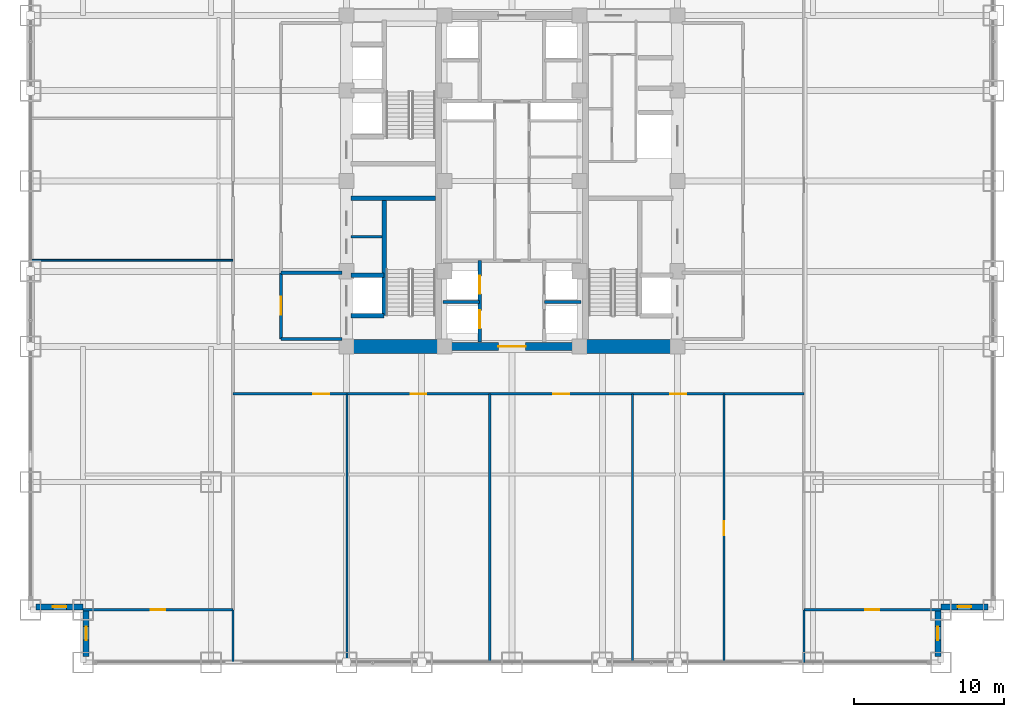
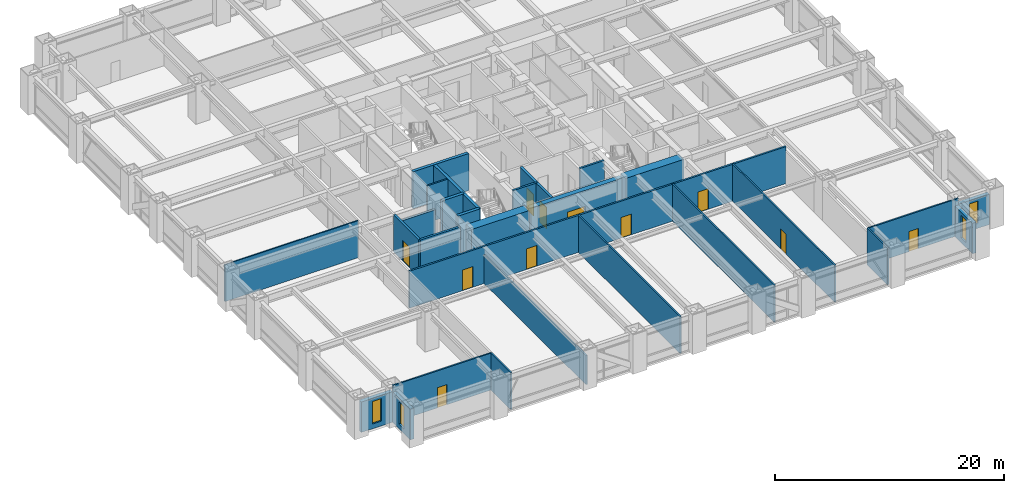
# One storey, part 23 of 27: 28 walls, 11 doors, 4 windows, 15 openings.
"""IFC4 building model written with IfcOpenShell, lengths in metres."""

from ifc_helpers import new_model, si_unit, direction, frame, frame_2d, origin, place, context, subcontext, project, spatial, rectangle, extrude, source, transform, mapped, material, layer, layer_set, type_object, element, fill, save


model = new_model("IFC4")

# Units and contexts
model_context = context("Model", 3, precision=1e-05, world=origin(), true_north=direction((0.0, 1.0)))
body_context = subcontext(model_context, "Body", "Model", "MODEL_VIEW")
ifc_project = project(units=[si_unit("LENGTHUNIT", "METRE"), si_unit("AREAUNIT", "SQUARE_METRE"), si_unit("VOLUMEUNIT", "CUBIC_METRE"), si_unit("PLANEANGLEUNIT", "RADIAN"), si_unit("MASSUNIT", "GRAM", prefix="KILO")], contexts=[model_context])

# Site, building, storey
site_placement = place(None, origin())
site = spatial("IfcSite", under=ifc_project, at=site_placement, CompositionType="ELEMENT")
building_placement = place(site_placement, origin())
building = spatial("IfcBuilding", under=site, at=building_placement, Name="Khorayat Bourse Tower", CompositionType="ELEMENT")
storey_placement = place(building_placement, frame((0.0, 0.0, 49.39990234375)))
storey = spatial("IfcBuildingStorey", under=building, at=storey_placement, Name="L10", CompositionType="ELEMENT", Elevation=49.39990234375)

# Walls
ifc_material_1 = material(Name="Concrete C72/90", Category="concrete")
ifc_layer_1 = layer(ifc_material_1, 0.89990234375)
ifc_layer_set_1 = layer_set([ifc_layer_1], Name="Concrete C72/90")
wall_type_1 = type_object("IfcWallType", Name="WAL-CORE-900", PredefinedType="SHEAR", material=ifc_layer_set_1)
shared_shape_1 = source(origin(), body_context, "Body", "SweptSolid", [
    extrude(rectangle(XDim=5.849853515625, YDim=0.89990234375, at=frame_2d((2.9248046875, 0.0))), origin(), (0.0, 0.0, 1.0), 3.940185546875),
])
for number, where, z_axis, x_axis, name in (
    (1, (-10.699951171875, -11.0, 0.0), (0.0, 0.0, 1.0), (1.0, 0.0, 0.0), "L10 Core Shear Wall PIER-WS"),
    (2, (4.85009765625, -11.0, 0.0), (0.0, 0.0, 1.0), (1.0, 0.0, 0.0), "L10 Core Shear Wall PIER-ES"),
):
    element("IfcWall", number, at=place(storey_placement, frame(where, z_axis=z_axis, x_axis=x_axis)), inside=storey, type_object=wall_type_1, Name=name, PredefinedType="SHEAR", context=body_context, shape_type="MappedRepresentation", body=[
        mapped(shared_shape_1, transform((0.0, 0.0, 0.0), scale=1.0)),
    ])
ifc_material_2 = material(Name="Concrete C50/60", Category="concrete")
ifc_layer_2 = layer(ifc_material_2, 0.300048828125)
ifc_layer_set_2 = layer_set([ifc_layer_2], Name="Concrete C50/60")
wall_type_2 = type_object("IfcWallType", Name="WAL-SHAFT-300", PredefinedType="SHEAR", material=ifc_layer_set_2)
shared_shape_2 = source(origin(), body_context, "Body", "SweptSolid", [
    extrude(rectangle(XDim=5.599853515625, YDim=0.300048828125, at=frame_2d((2.7998046875, 0.0))), origin(), (0.0, 0.0, 1.0), 3.940185546875),
])
wall_1_placement = place(storey_placement, frame((-10.699951171875, -1.14990234375, 0.0), z_axis=(0.0, 0.0, 1.0), x_axis=(1.0, 0.0, 0.0)))
element("IfcWall", 3, at=wall_1_placement, inside=storey, type_object=wall_type_2, Name="L10 Core Shear Wall ST1-DIV", PredefinedType="SHEAR", context=body_context, shape_type="MappedRepresentation", body=[
    mapped(shared_shape_2, transform((0.0, 0.0, 0.0), scale=1.0)),
])

# Wall, opening, door
ifc_material_3 = material(Name="Concrete C52/65", Category="concrete")
ifc_layer_3 = layer(ifc_material_3, 0.5)
ifc_layer_set_3 = layer_set([ifc_layer_3], Name="Concrete C52/65")
wall_type_3 = type_object("IfcWallType", Name="WAL-CORE-500", PredefinedType="SHEAR", material=ifc_layer_set_3)
shared_shape_3 = source(origin(), body_context, "Body", "SweptSolid", [
    extrude(rectangle(XDim=9.2001953125, YDim=0.5, at=frame_2d((4.60009765625, 0.0))), origin(), (0.0, 0.0, 1.0), 3.940185546875),
])
wall_2_placement = place(storey_placement, frame((-4.60009765625, -11.0, 0.0), z_axis=(0.0, 0.0, 1.0), x_axis=(1.0, 0.0, 0.0)))
wall_2 = element("IfcWall", 4, at=wall_2_placement, inside=storey, type_object=wall_type_3, Name="L10 Core Shear Wall CORE-S", PredefinedType="SHEAR", context=body_context, shape_type="MappedRepresentation", body=[
    mapped(shared_shape_3, transform((0.0, 0.0, 0.0), scale=1.0)),
])
shared_shape_4 = source(origin(), body_context, "Body", "SweptSolid", [
    extrude(rectangle(XDim=1.800048828125, YDim=2.25, at=frame_2d((0.89990234375, 1.125))), frame((0.0, 0.260009765625, 0.0), z_axis=(0.0, -1.0, 0.0), x_axis=(1.0, 0.0, 0.0)), (0.0, 0.0, 1.0), 0.52001953125),
])
opening_1_placement = place(wall_2_placement, frame((3.699951171875, 0.0, 0.0)))
opening_1 = element("IfcOpeningElement", 5, at=opening_1_placement, cuts=wall_2, Name="Opening DI-03", PredefinedType="OPENING", context=body_context, shape_type="MappedRepresentation", body=[
    mapped(shared_shape_4, transform((0.0, 0.0, 0.0), scale=1.0)),
])
ifc_material_4 = material(Name="Fire-rated hardwood vision-panel double leaf", Category="wood")
door_type_1 = type_object("IfcDoorType", Name="DR-INT-CORR-1800", OperationType="NOTDEFINED", PredefinedType="DOOR", material=ifc_material_4)
shared_shape_5 = source(origin(), body_context, "Body", "SweptSolid", [
    extrude(rectangle(XDim=1.800048828125, YDim=2.25, at=frame_2d((0.89990234375, 1.125))), frame((0.0, 0.02490234375, 0.0), z_axis=(0.0, -1.0, 0.0), x_axis=(1.0, 0.0, 0.0)), (0.0, 0.0, 1.0), 0.050048828125),
])
door_1_placement = place(opening_1_placement, origin())
door_1 = element("IfcDoor", 6, at=door_1_placement, inside=storey, type_object=door_type_1, Name="L10 Low-Rise Lift Lobby Door", OperationType="SINGLE_SWING_LEFT", OverallHeight=2.25, OverallWidth=1.800048828125, PredefinedType="DOOR", context=body_context, shape_type="MappedRepresentation", body=[
    mapped(shared_shape_5, transform((0.0, 0.0, 0.0), scale=1.0)),
])
fill(opening_1, door_1)

# Wall, opening, window
ifc_material_5 = material(Name="Precast concrete C45/55", Category="concrete")
ifc_layer_4 = layer(ifc_material_5, 0.3798828125)
ifc_layer_set_4 = layer_set([ifc_layer_4], Name="Precast concrete C45/55")
wall_type_4 = type_object("IfcWallType", Name="WAL-EXT-STONE-380", PredefinedType="STANDARD", material=ifc_layer_set_4)
shared_shape_6 = source(origin(), body_context, "Body", "SweptSolid", [
    extrude(rectangle(XDim=3.1201171875, YDim=0.3798828125, at=frame_2d((1.56005859375, 0.0))), origin(), (0.0, 0.0, 1.0), 3.2451171875),
])
wall_3_placement = place(storey_placement, frame((-28.5, -28.31005859375, 0.0), z_axis=(0.0, 0.0, 1.0), x_axis=(-1.0, 0.0, 0.0)))
wall_3 = element("IfcWall", 7, at=wall_3_placement, inside=storey, type_object=wall_type_4, Name="L10 Re-Entrant Notch Limestone Wall SW-H", PredefinedType="STANDARD", context=body_context, shape_type="MappedRepresentation", body=[
    mapped(shared_shape_6, transform((0.0, 0.0, 0.0), scale=1.0)),
])
shared_shape_7 = source(origin(), body_context, "Body", "SweptSolid", [
    extrude(rectangle(XDim=0.89990234375, YDim=2.39990234375, at=frame_2d((0.449951171875, 1.199951171875))), frame((0.0, 0.199951171875, 0.0), z_axis=(0.0, -1.0, 0.0), x_axis=(1.0, 0.0, 0.0)), (0.0, 0.0, 1.0), 0.39990234375),
])
opening_2_placement = place(wall_3_placement, frame((1.110107421875, 0.0, 0.5)))
opening_2 = element("IfcOpeningElement", 8, at=opening_2_placement, cuts=wall_3, Name="Opening WN-03", PredefinedType="OPENING", context=body_context, shape_type="MappedRepresentation", body=[
    mapped(shared_shape_7, transform((0.0, 0.0, 0.0), scale=1.0)),
])
ifc_material_6 = material(Name="Deep-reveal solar-control double glazing", Category="glass")
window_type = type_object("IfcWindowType", Name="WIN-SLOT-900x2400", PartitioningType="SINGLE_PANEL", PredefinedType="WINDOW", material=ifc_material_6)
shared_shape_8 = source(origin(), body_context, "Body", "SweptSolid", [
    extrude(rectangle(XDim=0.89990234375, YDim=2.39990234375, at=frame_2d((0.449951171875, 1.199951171875))), frame((0.0, 0.030029296875, 0.0), z_axis=(0.0, -1.0, 0.0), x_axis=(1.0, 0.0, 0.0)), (0.0, 0.0, 1.0), 0.06005859375),
])
window_1_placement = place(opening_2_placement, origin())
window_1 = element("IfcWindow", 9, at=window_1_placement, inside=storey, type_object=window_type, Name="L10 Facade Window 1", OverallHeight=2.39990234375, OverallWidth=0.89990234375, PartitioningType="SINGLE_PANEL", PredefinedType="WINDOW", context=body_context, shape_type="MappedRepresentation", body=[
    mapped(shared_shape_8, transform((0.0, 0.0, 0.0), scale=1.0)),
])
fill(opening_2, window_1)

wall_4_placement = place(storey_placement, frame((-28.31005859375, -31.6201171875, 0.0), z_axis=(0.0, 0.0, 1.0), x_axis=(0.0, 1.0, 0.0)))
wall_4 = element("IfcWall", 10, at=wall_4_placement, inside=storey, type_object=wall_type_4, Name="L10 Re-Entrant Notch Limestone Wall SW-V", PredefinedType="STANDARD", context=body_context, shape_type="MappedRepresentation", body=[
    mapped(shared_shape_6, transform((0.0, 0.0, 0.0), scale=1.0)),
])
opening_3_placement = place(wall_4_placement, frame((1.110107421875, 0.0, 0.5)))
opening_3 = element("IfcOpeningElement", 11, at=opening_3_placement, cuts=wall_4, Name="Opening WN-03", PredefinedType="OPENING", context=body_context, shape_type="MappedRepresentation", body=[
    mapped(shared_shape_7, transform((0.0, 0.0, 0.0), scale=1.0)),
])
window_2_placement = place(opening_3_placement, origin())
window_2 = element("IfcWindow", 12, at=window_2_placement, inside=storey, type_object=window_type, Name="L10 Facade Window 1", OverallHeight=2.39990234375, OverallWidth=0.89990234375, PartitioningType="SINGLE_PANEL", PredefinedType="WINDOW", context=body_context, shape_type="MappedRepresentation", body=[
    mapped(shared_shape_8, transform((0.0, 0.0, 0.0), scale=1.0)),
])
fill(opening_3, window_2)

wall_5_placement = place(storey_placement, frame((28.31005859375, -31.6201171875, 0.0), z_axis=(0.0, 0.0, 1.0), x_axis=(0.0, 1.0, 0.0)))
wall_5 = element("IfcWall", 13, at=wall_5_placement, inside=storey, type_object=wall_type_4, Name="L10 Re-Entrant Notch Limestone Wall SE-V", PredefinedType="STANDARD", context=body_context, shape_type="MappedRepresentation", body=[
    mapped(shared_shape_6, transform((0.0, 0.0, 0.0), scale=1.0)),
])
opening_4_placement = place(wall_5_placement, frame((1.110107421875, 0.0, 0.5)))
opening_4 = element("IfcOpeningElement", 14, at=opening_4_placement, cuts=wall_5, Name="Opening WN-03", PredefinedType="OPENING", context=body_context, shape_type="MappedRepresentation", body=[
    mapped(shared_shape_7, transform((0.0, 0.0, 0.0), scale=1.0)),
])
window_3_placement = place(opening_4_placement, origin())
window_3 = element("IfcWindow", 15, at=window_3_placement, inside=storey, type_object=window_type, Name="L10 Facade Window 1", OverallHeight=2.39990234375, OverallWidth=0.89990234375, PartitioningType="SINGLE_PANEL", PredefinedType="WINDOW", context=body_context, shape_type="MappedRepresentation", body=[
    mapped(shared_shape_8, transform((0.0, 0.0, 0.0), scale=1.0)),
])
fill(opening_4, window_3)

wall_6_placement = place(storey_placement, frame((28.5, -28.31005859375, 0.0), z_axis=(0.0, 0.0, 1.0), x_axis=(1.0, 0.0, 0.0)))
wall_6 = element("IfcWall", 16, at=wall_6_placement, inside=storey, type_object=wall_type_4, Name="L10 Re-Entrant Notch Limestone Wall SE-H", PredefinedType="STANDARD", context=body_context, shape_type="MappedRepresentation", body=[
    mapped(shared_shape_6, transform((0.0, 0.0, 0.0), scale=1.0)),
])
opening_5_placement = place(wall_6_placement, frame((1.110107421875, 0.0, 0.5)))
opening_5 = element("IfcOpeningElement", 17, at=opening_5_placement, cuts=wall_6, Name="Opening WN-03", PredefinedType="OPENING", context=body_context, shape_type="MappedRepresentation", body=[
    mapped(shared_shape_7, transform((0.0, 0.0, 0.0), scale=1.0)),
])
window_4_placement = place(opening_5_placement, origin())
window_4 = element("IfcWindow", 18, at=window_4_placement, inside=storey, type_object=window_type, Name="L10 Facade Window 1", OverallHeight=2.39990234375, OverallWidth=0.89990234375, PartitioningType="SINGLE_PANEL", PredefinedType="WINDOW", context=body_context, shape_type="MappedRepresentation", body=[
    mapped(shared_shape_8, transform((0.0, 0.0, 0.0), scale=1.0)),
])
fill(opening_5, window_4)

# Walls
shared_shape_9 = source(origin(), body_context, "Body", "SweptSolid", [
    extrude(rectangle(XDim=7.800048828125, YDim=0.300048828125, at=frame_2d((3.89990234375, 0.0))), origin(), (0.0, 0.0, 1.0), 3.940185546875),
])
wall_7_placement = place(storey_placement, frame((-8.5, -8.949951171875, 0.0), z_axis=(0.0, 0.0, 1.0), x_axis=(0.0, 1.0, 0.0)))
element("IfcWall", 19, at=wall_7_placement, inside=storey, type_object=wall_type_2, Name="L10 Partition WAL-L10-WPIER-SP", PredefinedType="SHEAR", context=body_context, shape_type="MappedRepresentation", body=[
    mapped(shared_shape_9, transform((0.0, 0.0, 0.0), scale=1.0)),
])
shared_shape_10 = source(origin(), body_context, "Body", "SweptSolid", [
    extrude(rectangle(XDim=2.199951171875, YDim=0.300048828125, at=frame_2d((1.10009765625, 0.0))), origin(), (0.0, 0.0, 1.0), 3.940185546875),
])
for number, where, z_axis, x_axis, name in (
    (20, (-10.699951171875, -8.949951171875, 0.0), (0.0, 0.0, 1.0), (1.0, 0.0, 0.0), "L10 Partition WAL-L10-WPIER-FF1S"),
    (21, (-10.699951171875, -6.25, 0.0), (0.0, 0.0, 1.0), (1.0, 0.0, 0.0), "L10 Partition WAL-L10-WPIER-FF1N"),
):
    element("IfcWall", number, at=place(storey_placement, frame(where, z_axis=z_axis, x_axis=x_axis)), inside=storey, type_object=wall_type_2, Name=name, PredefinedType="SHEAR", context=body_context, shape_type="MappedRepresentation", body=[
        mapped(shared_shape_10, transform((0.0, 0.0, 0.0), scale=1.0)),
    ])
ifc_material_7 = material(Name="Gypsum plasterboard twin-frame partition")
ifc_layer_5 = layer(ifc_material_7, 0.14990234375)
ifc_layer_set_5 = layer_set([ifc_layer_5], Name="Gypsum plasterboard twin-frame partition")
wall_type_5 = type_object("IfcWallType", Name="WAL-PART-SUITE-150", PredefinedType="PARTITIONING", material=ifc_layer_set_5)
shared_shape_11 = source(origin(), body_context, "Body", "SweptSolid", [
    extrude(rectangle(XDim=2.050048828125, YDim=0.14990234375, at=frame_2d((1.02490234375, 0.0))), origin(), (0.0, 0.0, 1.0), 3.940185546875),
])
wall_8_placement = place(storey_placement, frame((-10.699951171875, -3.699951171875, 0.0), z_axis=(0.0, 0.0, 1.0), x_axis=(1.0, 0.0, 0.0)))
element("IfcWall", 22, at=wall_8_placement, inside=storey, type_object=wall_type_5, Name="L10 Partition WAL-L10-WSRV-D1", PredefinedType="PARTITIONING", context=body_context, shape_type="MappedRepresentation", body=[
    mapped(shared_shape_11, transform((0.0, 0.0, 0.0), scale=1.0)),
])
ifc_material_8 = material(Name="Aerated concrete blockwork", Category="masonry")
ifc_layer_6 = layer(ifc_material_8, 0.219970703125)
ifc_layer_set_6 = layer_set([ifc_layer_6], Name="Aerated concrete blockwork")
wall_type_6 = type_object("IfcWallType", Name="WAL-PART-FF-220", PredefinedType="PARTITIONING", material=ifc_layer_set_6)
shared_shape_12 = source(origin(), body_context, "Body", "SweptSolid", [
    extrude(rectangle(XDim=4.050048828125, YDim=0.219970703125, at=frame_2d((2.02490234375, 0.0))), origin(), (0.0, 0.0, 1.0), 3.940185546875),
])
wall_9_placement = place(storey_placement, frame((-15.35009765625, -10.5, 0.0), z_axis=(0.0, 0.0, 1.0), x_axis=(1.0, 0.0, 0.0)))
element("IfcWall", 23, at=wall_9_placement, inside=storey, type_object=wall_type_6, Name="L10 Partition WAL-L10-FFLW-S", PredefinedType="PARTITIONING", context=body_context, shape_type="MappedRepresentation", body=[
    mapped(shared_shape_12, transform((0.0, 0.0, 0.0), scale=1.0)),
])
shared_shape_13 = source(origin(), body_context, "Body", "SweptSolid", [
    extrude(rectangle(XDim=4.050048828125, YDim=0.219970703125, at=frame_2d((2.02490234375, 0.0))), origin(), (0.0, 0.0, 1.0), 3.085205078125),
])
wall_10_placement = place(storey_placement, frame((-15.35009765625, -6.10009765625, 0.0), z_axis=(0.0, 0.0, 1.0), x_axis=(1.0, 0.0, 0.0)))
element("IfcWall", 24, at=wall_10_placement, inside=storey, type_object=wall_type_6, Name="L10 Partition WAL-L10-FFLW-N", PredefinedType="PARTITIONING", context=body_context, shape_type="MappedRepresentation", body=[
    mapped(shared_shape_13, transform((0.0, 0.0, 0.0), scale=1.0)),
])

# Wall, opening, door
shared_shape_14 = source(origin(), body_context, "Body", "SweptSolid", [
    extrude(rectangle(XDim=4.39990234375, YDim=0.219970703125, at=frame_2d((2.199951171875, 0.0))), origin(), (0.0, 0.0, 1.0), 3.940185546875),
])
wall_11_placement = place(storey_placement, frame((-15.35009765625, -10.5, 0.0), z_axis=(0.0, 0.0, 1.0), x_axis=(0.0, 1.0, 0.0)))
wall_11 = element("IfcWall", 25, at=wall_11_placement, inside=storey, type_object=wall_type_6, Name="L10 Partition WAL-L10-FFLW-W", PredefinedType="PARTITIONING", context=body_context, shape_type="MappedRepresentation", body=[
    mapped(shared_shape_14, transform((0.0, 0.0, 0.0), scale=1.0)),
])
shared_shape_15 = source(origin(), body_context, "Body", "SweptSolid", [
    extrude(rectangle(XDim=1.199951171875, YDim=2.199951171875, at=frame_2d((0.60009765625, 1.10009765625))), frame((0.0, 0.119873046875, 0.0), z_axis=(0.0, -1.0, 0.0), x_axis=(1.0, 0.0, 0.0)), (0.0, 0.0, 1.0), 0.239990234375),
])
opening_6_placement = place(wall_11_placement, frame((1.60009765625, 0.0, 0.0)))
opening_6 = element("IfcOpeningElement", 26, at=opening_6_placement, cuts=wall_11, Name="Opening DI-02", PredefinedType="OPENING", context=body_context, shape_type="MappedRepresentation", body=[
    mapped(shared_shape_15, transform((0.0, 0.0, 0.0), scale=1.0)),
])
ifc_material_9 = material(Name="Fire-rated steel double-seal leaf", Category="steel")
door_type_2 = type_object("IfcDoorType", Name="DR-INT-FFLOBBY-1200", OperationType="NOTDEFINED", PredefinedType="DOOR", material=ifc_material_9)
shared_shape_16 = source(origin(), body_context, "Body", "SweptSolid", [
    extrude(rectangle(XDim=1.199951171875, YDim=2.199951171875, at=frame_2d((0.60009765625, 1.10009765625))), frame((0.0, 0.02490234375, 0.0), z_axis=(0.0, -1.0, 0.0), x_axis=(1.0, 0.0, 0.0)), (0.0, 0.0, 1.0), 0.050048828125),
])
door_2_placement = place(opening_6_placement, origin())
door_2 = element("IfcDoor", 27, at=door_2_placement, inside=storey, type_object=door_type_2, Name="L10 West Firefighting Lobby Door", OperationType="SINGLE_SWING_LEFT", OverallHeight=2.199951171875, OverallWidth=1.199951171875, PredefinedType="DOOR", context=body_context, shape_type="MappedRepresentation", body=[
    mapped(shared_shape_16, transform((0.0, 0.0, 0.0), scale=1.0)),
])
fill(opening_6, door_2)

# Wall, openings, doors
shared_shape_17 = source(origin(), body_context, "Body", "SweptSolid", [
    extrude(rectangle(XDim=5.39990234375, YDim=0.25, at=frame_2d((2.699951171875, 0.0))), origin(), (0.0, 0.0, 1.0), 3.940185546875),
])
wall_12_placement = place(storey_placement, frame((-2.14990234375, -10.699951171875, 0.0), z_axis=(0.0, 0.0, 1.0), x_axis=(0.0, 1.0, 0.0)))
wall_12 = element("IfcWall", 28, at=wall_12_placement, inside=storey, type_object=wall_type_2, Name="L10 Partition WAL-L10-B1-W", PredefinedType="SHEAR", context=body_context, shape_type="MappedRepresentation", body=[
    mapped(shared_shape_17, transform((0.0, 0.0, 0.0), scale=1.0)),
])
shared_shape_18 = source(origin(), body_context, "Body", "SweptSolid", [
    extrude(rectangle(XDim=1.199951171875, YDim=2.300048828125, at=frame_2d((0.60009765625, 1.14990234375))), frame((0.0, 0.135009765625, 0.0), z_axis=(0.0, -1.0, 0.0), x_axis=(1.0, 0.0, 0.0)), (0.0, 0.0, 1.0), 0.27001953125),
])
opening_7_placement = place(wall_12_placement, frame((0.89990234375, 0.0, 0.0)))
opening_7 = element("IfcOpeningElement", 29, at=opening_7_placement, cuts=wall_12, Name="Opening LD-01", PredefinedType="OPENING", context=body_context, shape_type="MappedRepresentation", body=[
    mapped(shared_shape_18, transform((0.0, 0.0, 0.0), scale=1.0)),
])
opening_8_placement = place(wall_12_placement, frame((3.199951171875, 0.0, 0.0)))
opening_8 = element("IfcOpeningElement", 30, at=opening_8_placement, cuts=wall_12, Name="Opening LD-01", PredefinedType="OPENING", context=body_context, shape_type="MappedRepresentation", body=[
    mapped(shared_shape_18, transform((0.0, 0.0, 0.0), scale=1.0)),
])
ifc_material_10 = material(Name="Brushed bronze stainless-steel sliding door", Category="steel")
door_type_3 = type_object("IfcDoorType", Name="DR-LIFT-PASS-1200", OperationType="NOTDEFINED", PredefinedType="DOOR", material=ifc_material_10)
shared_shape_19 = source(origin(), body_context, "Body", "SweptSolid", [
    extrude(rectangle(XDim=1.199951171875, YDim=2.300048828125, at=frame_2d((0.60009765625, 1.14990234375))), frame((0.0, 0.02490234375, 0.0), z_axis=(0.0, -1.0, 0.0), x_axis=(1.0, 0.0, 0.0)), (0.0, 0.0, 1.0), 0.050048828125),
])
door_3_placement = place(opening_7_placement, origin())
door_3 = element("IfcDoor", 31, at=door_3_placement, inside=storey, type_object=door_type_3, Name="L10 Lift PL-L1 Sliding Landing Door", OperationType="SLIDING_TO_LEFT", OverallHeight=2.300048828125, OverallWidth=1.199951171875, PredefinedType="DOOR", context=body_context, shape_type="MappedRepresentation", body=[
    mapped(shared_shape_19, transform((0.0, 0.0, 0.0), scale=1.0)),
])
fill(opening_7, door_3)
door_4_placement = place(opening_8_placement, origin())
door_4 = element("IfcDoor", 32, at=door_4_placement, inside=storey, type_object=door_type_3, Name="L10 Lift PL-L3 Sliding Landing Door", OperationType="SLIDING_TO_LEFT", OverallHeight=2.300048828125, OverallWidth=1.199951171875, PredefinedType="DOOR", context=body_context, shape_type="MappedRepresentation", body=[
    mapped(shared_shape_19, transform((0.0, 0.0, 0.0), scale=1.0)),
])
fill(opening_8, door_4)

# Walls
shared_shape_20 = source(origin(), body_context, "Body", "SweptSolid", [
    extrude(rectangle(XDim=2.4501953125, YDim=0.199951171875, at=frame_2d((1.22509765625, 0.0))), origin(), (0.0, 0.0, 1.0), 3.940185546875),
])
for number, where, z_axis, x_axis, name in (
    (33, (-4.60009765625, -8.050048828125, 0.0), (0.0, 0.0, 1.0), (1.0, 0.0, 0.0), "L10 Partition WAL-L10-B1-MW"),
    (34, (2.14990234375, -8.050048828125, 0.0), (0.0, 0.0, 1.0), (1.0, 0.0, 0.0), "L10 Partition WAL-L10-B1-ME"),
):
    element("IfcWall", number, at=place(storey_placement, frame(where, z_axis=z_axis, x_axis=x_axis)), inside=storey, type_object=wall_type_2, Name=name, PredefinedType="SHEAR", context=body_context, shape_type="MappedRepresentation", body=[
        mapped(shared_shape_20, transform((0.0, 0.0, 0.0), scale=1.0)),
    ])
shared_shape_21 = source(origin(), body_context, "Body", "SweptSolid", [
    extrude(rectangle(XDim=17.85009765625, YDim=0.14990234375, at=frame_2d((8.925048828125, 0.0))), origin(), (0.0, 0.0, 1.0), 3.085205078125),
])
wall_13_placement = place(storey_placement, frame((-10.9599609375, -32.0, 0.0), z_axis=(0.0, 0.0, 1.0), x_axis=(0.0, 1.0, 0.0)))
element("IfcWall", 35, at=wall_13_placement, inside=storey, type_object=wall_type_5, Name="L10 Partition WAL-L10-SDV-1", PredefinedType="PARTITIONING", context=body_context, shape_type="MappedRepresentation", body=[
    mapped(shared_shape_21, transform((0.0, 0.0, 0.0), scale=1.0)),
])
shared_shape_22 = source(origin(), body_context, "Body", "SweptSolid", [
    extrude(rectangle(XDim=17.85009765625, YDim=0.14990234375, at=frame_2d((8.925048828125, 0.0))), origin(), (0.0, 0.0, 1.0), 3.940185546875),
])
for number, where, z_axis, x_axis, name in (
    (36, (-1.472412109375, -32.0, 0.0), (0.0, 0.0, 1.0), (0.0, 1.0, 0.0), "L10 Partition WAL-L10-SDV-2"),
    (37, (8.014892578125, -32.0, 0.0), (0.0, 0.0, 1.0), (0.0, 1.0, 0.0), "L10 Partition WAL-L10-SDV-3"),
):
    element("IfcWall", number, at=place(storey_placement, frame(where, z_axis=z_axis, x_axis=x_axis)), inside=storey, type_object=wall_type_5, Name=name, PredefinedType="PARTITIONING", context=body_context, shape_type="MappedRepresentation", body=[
        mapped(shared_shape_22, transform((0.0, 0.0, 0.0), scale=1.0)),
    ])

# Wall, opening, door
wall_14_placement = place(storey_placement, frame((14.0869140625, -32.0, 0.0), z_axis=(0.0, 0.0, 1.0), x_axis=(0.0, 1.0, 0.0)))
wall_14 = element("IfcWall", 38, at=wall_14_placement, inside=storey, type_object=wall_type_5, Name="L10 Partition WAL-L10-SDV-4", PredefinedType="PARTITIONING", context=body_context, shape_type="MappedRepresentation", body=[
    mapped(shared_shape_22, transform((0.0, 0.0, 0.0), scale=1.0)),
])
shared_shape_23 = source(origin(), body_context, "Body", "SweptSolid", [
    extrude(rectangle(XDim=0.949951171875, YDim=2.14990234375, at=frame_2d((0.47509765625, 1.074951171875))), frame((0.0, 0.0849609375, 0.0), z_axis=(0.0, -1.0, 0.0), x_axis=(1.0, 0.0, 0.0)), (0.0, 0.0, 1.0), 0.169921875),
])
opening_9_placement = place(wall_14_placement, frame((8.449951171875, 0.0, 0.0)))
opening_9 = element("IfcOpeningElement", 39, at=opening_9_placement, cuts=wall_14, Name="Opening DI-05", PredefinedType="OPENING", context=body_context, shape_type="MappedRepresentation", body=[
    mapped(shared_shape_23, transform((0.0, 0.0, 0.0), scale=1.0)),
])
ifc_material_11 = material(Name="Acoustic oak veneer office door")
door_type_4 = type_object("IfcDoorType", Name="DR-INT-OFFICE-950", OperationType="NOTDEFINED", PredefinedType="DOOR", material=ifc_material_11)
shared_shape_24 = source(origin(), body_context, "Body", "SweptSolid", [
    extrude(rectangle(XDim=0.949951171875, YDim=2.14990234375, at=frame_2d((0.47509765625, 1.074951171875))), frame((0.0, 0.02490234375, 0.0), z_axis=(0.0, -1.0, 0.0), x_axis=(1.0, 0.0, 0.0)), (0.0, 0.0, 1.0), 0.050048828125),
])
door_5_placement = place(opening_9_placement, origin())
door_5 = element("IfcDoor", 40, at=door_5_placement, inside=storey, type_object=door_type_4, Name="L10 S Suite Link 4", OperationType="SINGLE_SWING_LEFT", OverallHeight=2.14990234375, OverallWidth=0.949951171875, PredefinedType="DOOR", context=body_context, shape_type="MappedRepresentation", body=[
    mapped(shared_shape_24, transform((0.0, 0.0, 0.0), scale=1.0)),
])
fill(opening_9, door_5)

# Wall, openings, doors
ifc_material_12 = material(Name="Gypsum plasterboard acoustic stud wall")
ifc_layer_7 = layer(ifc_material_12, 0.179931640625)
ifc_layer_set_7 = layer_set([ifc_layer_7], Name="Gypsum plasterboard acoustic stud wall")
wall_type_7 = type_object("IfcWallType", Name="WAL-PART-CORR-180", PredefinedType="PARTITIONING", material=ifc_layer_set_7)
shared_shape_25 = source(origin(), body_context, "Body", "SweptSolid", [
    extrude(rectangle(XDim=37.949951171875, YDim=0.179931640625, at=frame_2d((18.97509765625, 0.0))), origin(), (0.0, 0.0, 1.0), 3.940185546875),
])
wall_15_placement = place(storey_placement, frame((-18.550048828125, -14.14990234375, 0.0), z_axis=(0.0, 0.0, 1.0), x_axis=(1.0, 0.0, 0.0)))
wall_15 = element("IfcWall", 41, at=wall_15_placement, inside=storey, type_object=wall_type_7, Name="L10 Partition WAL-L10-SCORR", PredefinedType="PARTITIONING", context=body_context, shape_type="MappedRepresentation", body=[
    mapped(shared_shape_25, transform((0.0, 0.0, 0.0), scale=1.0)),
])
shared_shape_26 = source(origin(), body_context, "Body", "SweptSolid", [
    extrude(rectangle(XDim=1.050048828125, YDim=2.199951171875, at=frame_2d((0.52490234375, 1.10009765625))), frame((0.0, 0.099853515625, 0.0), z_axis=(0.0, -1.0, 0.0), x_axis=(1.0, 0.0, 0.0)), (0.0, 0.0, 1.0), 0.199951171875),
])
opening_10_placement = place(wall_15_placement, frame((5.344970703125, 0.0, 0.0)))
opening_10 = element("IfcOpeningElement", 42, at=opening_10_placement, cuts=wall_15, Name="Opening DI-04", PredefinedType="OPENING", context=body_context, shape_type="MappedRepresentation", body=[
    mapped(shared_shape_26, transform((0.0, 0.0, 0.0), scale=1.0)),
])
opening_11_placement = place(wall_15_placement, frame((11.80859375, 0.0, 0.0)))
opening_11 = element("IfcOpeningElement", 43, at=opening_11_placement, cuts=wall_15, Name="Opening DI-04", PredefinedType="OPENING", context=body_context, shape_type="MappedRepresentation", body=[
    mapped(shared_shape_26, transform((0.0, 0.0, 0.0), scale=1.0)),
])
opening_12_placement = place(wall_15_placement, frame((21.29638671875, 0.0, 0.0)))
opening_12 = element("IfcOpeningElement", 44, at=opening_12_placement, cuts=wall_15, Name="Opening DI-04", PredefinedType="OPENING", context=body_context, shape_type="MappedRepresentation", body=[
    mapped(shared_shape_26, transform((0.0, 0.0, 0.0), scale=1.0)),
])
opening_13_placement = place(wall_15_placement, frame((29.075927734375, 0.0, 0.0)))
opening_13 = element("IfcOpeningElement", 45, at=opening_13_placement, cuts=wall_15, Name="Opening DI-04", PredefinedType="OPENING", context=body_context, shape_type="MappedRepresentation", body=[
    mapped(shared_shape_26, transform((0.0, 0.0, 0.0), scale=1.0)),
])
ifc_material_13 = material(Name="Fire-rated oak veneer suite entrance door")
door_type_5 = type_object("IfcDoorType", Name="DR-INT-SUITE-1050", OperationType="NOTDEFINED", PredefinedType="DOOR", material=ifc_material_13)
shared_shape_27 = source(origin(), body_context, "Body", "SweptSolid", [
    extrude(rectangle(XDim=1.050048828125, YDim=2.199951171875, at=frame_2d((0.52490234375, 1.10009765625))), frame((0.0, 0.02490234375, 0.0), z_axis=(0.0, -1.0, 0.0), x_axis=(1.0, 0.0, 0.0)), (0.0, 0.0, 1.0), 0.050048828125),
])
door_6_placement = place(opening_10_placement, origin())
door_6 = element("IfcDoor", 46, at=door_6_placement, inside=storey, type_object=door_type_5, Name="L10 Executive Boardroom S1 Door", OperationType="SINGLE_SWING_RIGHT", OverallHeight=2.199951171875, OverallWidth=1.050048828125, PredefinedType="DOOR", context=body_context, shape_type="MappedRepresentation", body=[
    mapped(shared_shape_27, transform((0.0, 0.0, 0.0), scale=1.0)),
])
fill(opening_10, door_6)
door_7_placement = place(opening_11_placement, origin())
door_7 = element("IfcDoor", 47, at=door_7_placement, inside=storey, type_object=door_type_5, Name="L10 Market Committee Conference Room S2 Door", OperationType="SINGLE_SWING_LEFT", OverallHeight=2.199951171875, OverallWidth=1.050048828125, PredefinedType="DOOR", context=body_context, shape_type="MappedRepresentation", body=[
    mapped(shared_shape_27, transform((0.0, 0.0, 0.0), scale=1.0)),
])
fill(opening_11, door_7)
door_8_placement = place(opening_12_placement, origin())
door_8 = element("IfcDoor", 48, at=door_8_placement, inside=storey, type_object=door_type_5, Name="L10 Financial Training Classroom S3 Door", OperationType="SINGLE_SWING_RIGHT", OverallHeight=2.199951171875, OverallWidth=1.050048828125, PredefinedType="DOOR", context=body_context, shape_type="MappedRepresentation", body=[
    mapped(shared_shape_27, transform((0.0, 0.0, 0.0), scale=1.0)),
])
fill(opening_12, door_8)
door_9_placement = place(opening_13_placement, origin())
door_9 = element("IfcDoor", 49, at=door_9_placement, inside=storey, type_object=door_type_5, Name="L10 Brokerage Seminar Room S4 Door", OperationType="SINGLE_SWING_LEFT", OverallHeight=2.199951171875, OverallWidth=1.050048828125, PredefinedType="DOOR", context=body_context, shape_type="MappedRepresentation", body=[
    mapped(shared_shape_27, transform((0.0, 0.0, 0.0), scale=1.0)),
])
fill(opening_13, door_9)

# Walls
shared_shape_28 = source(origin(), body_context, "Body", "SweptSolid", [
    extrude(rectangle(XDim=3.5, YDim=0.14990234375, at=frame_2d((1.75, 0.0))), origin(), (0.0, 0.0, 1.0), 3.940185546875),
])
for number, where, z_axis, x_axis, name in (
    (50, (-18.550048828125, -32.0, 0.0), (0.0, 0.0, 1.0), (0.0, 1.0, 0.0), "L10 Partition WAL-L10-SCW-END"),
    (51, (19.39990234375, -32.0, 0.0), (0.0, 0.0, 1.0), (0.0, 1.0, 0.0), "L10 Partition WAL-L10-SCE-END"),
):
    element("IfcWall", number, at=place(storey_placement, frame(where, z_axis=z_axis, x_axis=x_axis)), inside=storey, type_object=wall_type_5, Name=name, PredefinedType="PARTITIONING", context=body_context, shape_type="MappedRepresentation", body=[
        mapped(shared_shape_28, transform((0.0, 0.0, 0.0), scale=1.0)),
    ])
ifc_material_14 = material(Name="Gypsum plasterboard partition")
ifc_layer_8 = layer(ifc_material_14, 0.125)
ifc_layer_set_8 = layer_set([ifc_layer_8], Name="Gypsum plasterboard partition")
wall_type_8 = type_object("IfcWallType", Name="WAL-PART-ROOM-125", PredefinedType="PARTITIONING", material=ifc_layer_set_8)
shared_shape_29 = source(origin(), body_context, "Body", "SweptSolid", [
    extrude(rectangle(XDim=13.449951171875, YDim=0.125, at=frame_2d((6.72509765625, 0.0))), origin(), (0.0, 0.0, 1.0), 3.940185546875),
])
wall_16_placement = place(storey_placement, frame((-32.0, -5.27001953125, 0.0), z_axis=(0.0, 0.0, 1.0), x_axis=(1.0, 0.0, 0.0)))
element("IfcWall", 52, at=wall_16_placement, inside=storey, type_object=wall_type_8, Name="L10 Partition WAL-L10-WDV-1", PredefinedType="PARTITIONING", context=body_context, shape_type="MappedRepresentation", body=[
    mapped(shared_shape_29, transform((0.0, 0.0, 0.0), scale=1.0)),
])

# Wall, opening, door
shared_shape_30 = source(origin(), body_context, "Body", "SweptSolid", [
    extrude(rectangle(XDim=9.949951171875, YDim=0.14990234375, at=frame_2d((4.97509765625, 0.0))), origin(), (0.0, 0.0, 1.0), 3.940185546875),
])
wall_17_placement = place(storey_placement, frame((-28.5, -28.5, 0.0), z_axis=(0.0, 0.0, 1.0), x_axis=(1.0, 0.0, 0.0)))
wall_17 = element("IfcWall", 53, at=wall_17_placement, inside=storey, type_object=wall_type_5, Name="L10 Partition WAL-L10-CSW", PredefinedType="PARTITIONING", context=body_context, shape_type="MappedRepresentation", body=[
    mapped(shared_shape_30, transform((0.0, 0.0, 0.0), scale=1.0)),
])
opening_14_placement = place(wall_17_placement, frame((4.5, 0.0, 0.0)))
opening_14 = element("IfcOpeningElement", 54, at=opening_14_placement, cuts=wall_17, Name="Opening DI-05", PredefinedType="OPENING", context=body_context, shape_type="MappedRepresentation", body=[
    mapped(shared_shape_23, transform((0.0, 0.0, 0.0), scale=1.0)),
])
door_10_placement = place(opening_14_placement, origin())
door_10 = element("IfcDoor", 55, at=door_10_placement, inside=storey, type_object=door_type_4, Name="L10 South-West Corner Office Door", OperationType="SINGLE_SWING_LEFT", OverallHeight=2.14990234375, OverallWidth=0.949951171875, PredefinedType="DOOR", context=body_context, shape_type="MappedRepresentation", body=[
    mapped(shared_shape_24, transform((0.0, 0.0, 0.0), scale=1.0)),
])
fill(opening_14, door_10)

shared_shape_31 = source(origin(), body_context, "Body", "SweptSolid", [
    extrude(rectangle(XDim=9.10009765625, YDim=0.14990234375, at=frame_2d((4.550048828125, 0.0))), origin(), (0.0, 0.0, 1.0), 3.940185546875),
])
wall_18_placement = place(storey_placement, frame((19.39990234375, -28.5, 0.0), z_axis=(0.0, 0.0, 1.0), x_axis=(1.0, 0.0, 0.0)))
wall_18 = element("IfcWall", 56, at=wall_18_placement, inside=storey, type_object=wall_type_5, Name="L10 Partition WAL-L10-CSE", PredefinedType="PARTITIONING", context=body_context, shape_type="MappedRepresentation", body=[
    mapped(shared_shape_31, transform((0.0, 0.0, 0.0), scale=1.0)),
])
opening_15_placement = place(wall_18_placement, frame((4.074951171875, 0.0, 0.0)))
opening_15 = element("IfcOpeningElement", 57, at=opening_15_placement, cuts=wall_18, Name="Opening DI-05", PredefinedType="OPENING", context=body_context, shape_type="MappedRepresentation", body=[
    mapped(shared_shape_23, transform((0.0, 0.0, 0.0), scale=1.0)),
])
door_11_placement = place(opening_15_placement, origin())
door_11 = element("IfcDoor", 58, at=door_11_placement, inside=storey, type_object=door_type_4, Name="L10 South-East Corner Briefing Room Door", OperationType="SINGLE_SWING_LEFT", OverallHeight=2.14990234375, OverallWidth=0.949951171875, PredefinedType="DOOR", context=body_context, shape_type="MappedRepresentation", body=[
    mapped(shared_shape_24, transform((0.0, 0.0, 0.0), scale=1.0)),
])
fill(opening_15, door_11)

save(model, "model.ifc")
